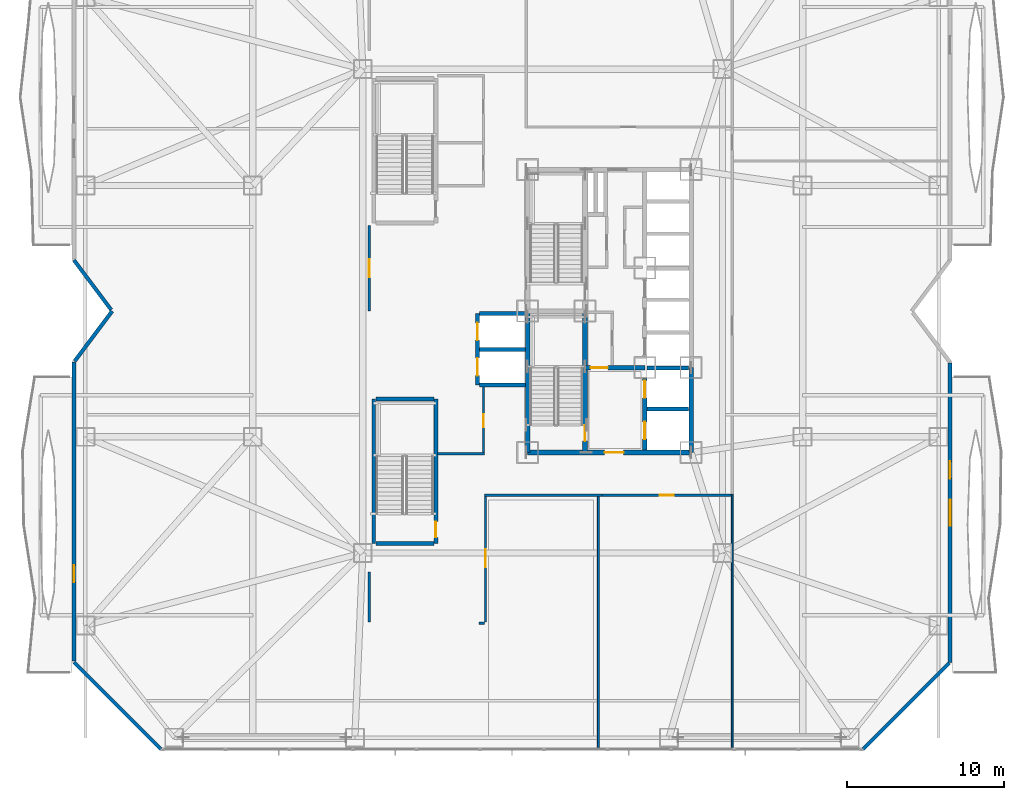
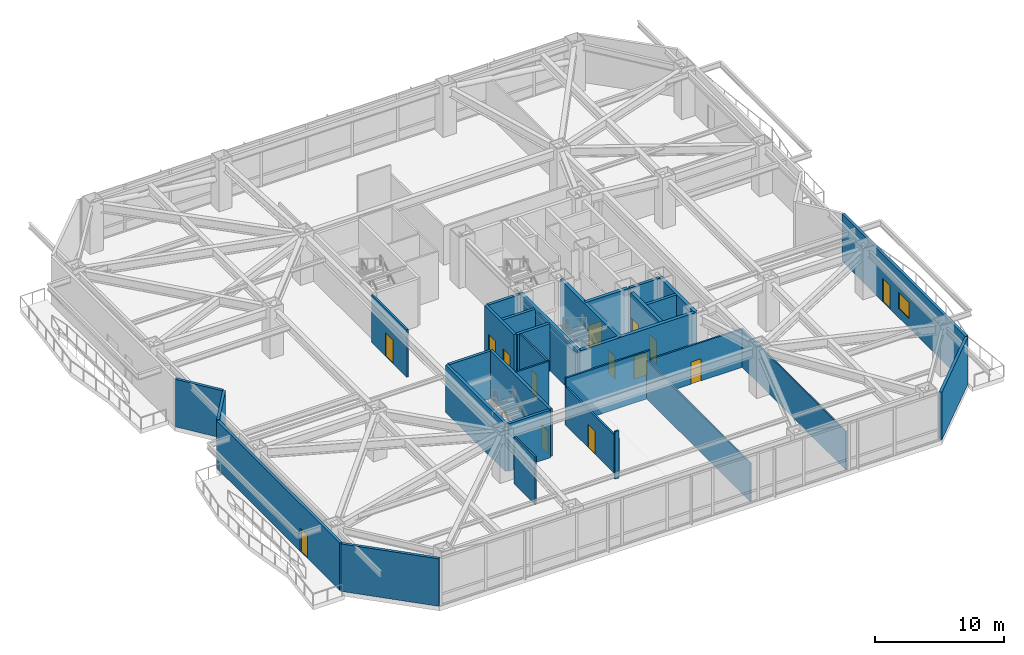
# One storey, part 23 of 33: 32 walls, 14 doors, 1 window, 15 openings.
"""IFC4 building model written with IfcOpenShell, lengths in metres."""

from ifc_helpers import new_model, si_unit, direction, frame, frame_2d, origin, place, context, subcontext, project, spatial, rectangle, extrude, material, layer, layer_set, type_object, element, fill, save


model = new_model("IFC4")

# Units and contexts
model_context = context("Model", 3, precision=1e-05, world=origin(), true_north=direction((0.0, 1.0)))
body_context = subcontext(model_context, "Body", "Model", "MODEL_VIEW")
ifc_project = project(units=[si_unit("LENGTHUNIT", "METRE"), si_unit("AREAUNIT", "SQUARE_METRE"), si_unit("VOLUMEUNIT", "CUBIC_METRE"), si_unit("PLANEANGLEUNIT", "RADIAN"), si_unit("MASSUNIT", "GRAM", prefix="KILO")], contexts=[model_context])

# Site, building, storey
site_placement = place(None, origin())
site = spatial("IfcSite", under=ifc_project, at=site_placement, CompositionType="ELEMENT")
building_placement = place(site_placement, origin())
building = spatial("IfcBuilding", under=site, at=building_placement, Name="Khamvora Tower", CompositionType="ELEMENT")
storey_placement = place(building_placement, frame((0.0, 0.0, 7.199951171875)))
storey = spatial("IfcBuildingStorey", under=building, at=storey_placement, Name="L01", CompositionType="ELEMENT", Elevation=7.199951171875)

# Wall
ifc_material_1 = material(Name="Concrete C50/60", Category="concrete")
ifc_layer_1 = layer(ifc_material_1, 0.300048828125)
ifc_layer_set_1 = layer_set([ifc_layer_1], Name="Concrete C50/60")
wall_type_1 = type_object("IfcWallType", Name="WAL-CORE-300", PredefinedType="SHEAR", material=ifc_layer_set_1)
wall_1_placement = place(storey_placement, frame((29.0, 19.0, 0.0), z_axis=(0.0, 0.0, 1.0), x_axis=(0.0, 1.0, 0.0)))
element("IfcWall", 1, at=wall_1_placement, inside=storey, type_object=wall_type_1, Name="L01 central core west south wall", PredefinedType="SHEAR", context=body_context, shape_type="SweptSolid", body=[
    extrude(rectangle(XDim=9.0, YDim=0.300048828125, at=frame_2d((4.5, 0.0))), origin(), (0.0, 0.0, 1.0), 4.47998046875),
])

# Wall, opening, door
wall_2_placement = place(storey_placement, frame((29.0, 19.0, 0.0), z_axis=(0.0, 0.0, 1.0), x_axis=(1.0, 0.0, 0.0)))
wall_2 = element("IfcWall", 2, at=wall_2_placement, inside=storey, type_object=wall_type_1, Name="L01 central core south wall", PredefinedType="SHEAR", context=body_context, shape_type="SweptSolid", body=[
    extrude(rectangle(XDim=10.39990234375, YDim=0.300048828125, at=frame_2d((5.199951171875, 0.0))), origin(), (0.0, 0.0, 1.0), 4.47998046875),
])
opening_1_placement = place(wall_2_placement, frame((4.89990234375, 0.0, 0.0)))
opening_1 = element("IfcOpeningElement", 3, at=opening_1_placement, cuts=wall_2, Name="Opening D-CR1", PredefinedType="OPENING", context=body_context, shape_type="SweptSolid", body=[
    extrude(rectangle(XDim=1.199951171875, YDim=2.14990234375, at=frame_2d((0.60009765625, 1.074951171875))), frame((0.0, 0.159912109375, 0.0), z_axis=(0.0, -1.0, 0.0), x_axis=(1.0, 0.0, 0.0)), (0.0, 0.0, 1.0), 0.320068359375),
])
ifc_material_2 = material(Name="Powder-Coated Steel and Hardwood Leaf", Category="steel")
door_type_1 = type_object("IfcDoorType", Name="DOR-CORR-1200", OperationType="NOTDEFINED", PredefinedType="DOOR", material=ifc_material_2)
door_1_placement = place(opening_1_placement, origin())
door_1 = element("IfcDoor", 4, at=door_1_placement, inside=storey, type_object=door_type_1, Name="L01 south core lobby to corridor fire door", OperationType="SINGLE_SWING_LEFT", OverallHeight=2.14990234375, OverallWidth=1.199951171875, PredefinedType="DOOR", context=body_context, shape_type="SweptSolid", body=[
    extrude(rectangle(XDim=1.199951171875, YDim=2.14990234375, at=frame_2d((0.60009765625, 1.074951171875))), frame((0.0, 0.02490234375, 0.0), z_axis=(0.0, -1.0, 0.0), x_axis=(1.0, 0.0, 0.0)), (0.0, 0.0, 1.0), 0.050048828125),
])
fill(opening_1, door_1)

# Wall
wall_3_placement = place(storey_placement, frame((39.39990234375, 19.0, 0.0), z_axis=(0.0, 0.0, 1.0), x_axis=(0.0, 1.0, 0.0)))
element("IfcWall", 5, at=wall_3_placement, inside=storey, type_object=wall_type_1, Name="L01 central core east south wall", PredefinedType="SHEAR", context=body_context, shape_type="SweptSolid", body=[
    extrude(rectangle(XDim=5.39990234375, YDim=0.300048828125, at=frame_2d((2.699951171875, 0.0))), origin(), (0.0, 0.0, 1.0), 4.47998046875),
])

# Wall, opening, door
wall_4_placement = place(storey_placement, frame((32.64990234375, 19.0, 0.0), z_axis=(0.0, 0.0, 1.0), x_axis=(0.0, 1.0, 0.0)))
wall_4 = element("IfcWall", 6, at=wall_4_placement, inside=storey, type_object=wall_type_1, Name="L01 central core stair south spine wall", PredefinedType="SHEAR", context=body_context, shape_type="SweptSolid", body=[
    extrude(rectangle(XDim=9.0, YDim=0.300048828125, at=frame_2d((4.5, 0.0))), origin(), (0.0, 0.0, 1.0), 4.47998046875),
])
opening_2_placement = place(wall_4_placement, frame((0.719970703125, 0.0, 0.0)))
opening_2 = element("IfcOpeningElement", 7, at=opening_2_placement, cuts=wall_4, Name="Opening D-ST1", PredefinedType="OPENING", context=body_context, shape_type="SweptSolid", body=[
    extrude(rectangle(XDim=1.0, YDim=2.14990234375, at=frame_2d((0.5, 1.074951171875))), frame((0.0, 0.159912109375, 0.0), z_axis=(0.0, -1.0, 0.0), x_axis=(1.0, 0.0, 0.0)), (0.0, 0.0, 1.0), 0.320068359375),
])
door_type_2 = type_object("IfcDoorType", Name="DOR-STAIR-1000", OperationType="NOTDEFINED", PredefinedType="DOOR", material=ifc_material_2)
door_2_placement = place(opening_2_placement, origin())
door_2 = element("IfcDoor", 8, at=door_2_placement, inside=storey, type_object=door_type_2, Name="L01 exit stair ST-01 fire door", OperationType="SINGLE_SWING_RIGHT", OverallHeight=2.14990234375, OverallWidth=1.0, PredefinedType="DOOR", context=body_context, shape_type="SweptSolid", body=[
    extrude(rectangle(XDim=1.0, YDim=2.14990234375, at=frame_2d((0.5, 1.074951171875))), frame((0.0, 0.02490234375, 0.0), z_axis=(0.0, -1.0, 0.0), x_axis=(1.0, 0.0, 0.0)), (0.0, 0.0, 1.0), 0.050048828125),
])
fill(opening_2, door_2)

wall_5_placement = place(storey_placement, frame((32.64990234375, 24.39990234375, 0.0), z_axis=(0.0, 0.0, 1.0), x_axis=(1.0, 0.0, 0.0)))
wall_5 = element("IfcWall", 9, at=wall_5_placement, inside=storey, type_object=wall_type_1, Name="L01 central core firefighting lobby north wall", PredefinedType="SHEAR", context=body_context, shape_type="SweptSolid", body=[
    extrude(rectangle(XDim=3.800048828125, YDim=0.300048828125, at=frame_2d((1.89990234375, 0.0))), origin(), (0.0, 0.0, 1.0), 4.47998046875),
])
opening_3_placement = place(wall_5_placement, frame((0.35009765625, 0.0, 0.0)))
opening_3 = element("IfcOpeningElement", 10, at=opening_3_placement, cuts=wall_5, Name="Opening D-FF1", PredefinedType="OPENING", context=body_context, shape_type="SweptSolid", body=[
    extrude(rectangle(XDim=1.10009765625, YDim=2.14990234375, at=frame_2d((0.550048828125, 1.074951171875))), frame((0.0, 0.159912109375, 0.0), z_axis=(0.0, -1.0, 0.0), x_axis=(1.0, 0.0, 0.0)), (0.0, 0.0, 1.0), 0.320068359375),
])
door_type_3 = type_object("IfcDoorType", Name="DOR-FFLOB-1100", OperationType="NOTDEFINED", PredefinedType="DOOR", material=ifc_material_2)
door_3_placement = place(opening_3_placement, origin())
door_3 = element("IfcDoor", 11, at=door_3_placement, inside=storey, type_object=door_type_3, Name="L01 firefighting lobby smoke-seal fire door", OperationType="SINGLE_SWING_RIGHT", OverallHeight=2.14990234375, OverallWidth=1.10009765625, PredefinedType="DOOR", context=body_context, shape_type="SweptSolid", body=[
    extrude(rectangle(XDim=1.10009765625, YDim=2.14990234375, at=frame_2d((0.550048828125, 1.074951171875))), frame((0.0, 0.02490234375, 0.0), z_axis=(0.0, -1.0, 0.0), x_axis=(1.0, 0.0, 0.0)), (0.0, 0.0, 1.0), 0.050048828125),
])
fill(opening_3, door_3)

# Wall, openings, doors
wall_6_placement = place(storey_placement, frame((36.449951171875, 19.154052734375, 0.0), z_axis=(0.0, 0.0, 1.0), x_axis=(0.0, 1.0, 0.0)))
wall_6 = element("IfcWall", 12, at=wall_6_placement, inside=storey, type_object=wall_type_1, Name="L01 central core lift bank south wall", PredefinedType="SHEAR", context=body_context, shape_type="SweptSolid", body=[
    extrude(rectangle(XDim=4.5458984375, YDim=0.300048828125, at=frame_2d((2.27294921875, 0.0))), origin(), (0.0, 0.0, 1.0), 4.47998046875),
])
opening_4_placement = place(wall_6_placement, frame((0.696044921875, 0.0, 0.0)))
opening_4 = element("IfcOpeningElement", 13, at=opening_4_placement, cuts=wall_6, Name="Opening LD-FFL", PredefinedType="OPENING", context=body_context, shape_type="SweptSolid", body=[
    extrude(rectangle(XDim=1.10009765625, YDim=2.14990234375, at=frame_2d((0.550048828125, 1.074951171875))), frame((0.0, 0.159912109375, 0.0), z_axis=(0.0, -1.0, 0.0), x_axis=(1.0, 0.0, 0.0)), (0.0, 0.0, 1.0), 0.320068359375),
])
opening_5_placement = place(wall_6_placement, frame((3.31591796875, 0.0, 0.0)))
opening_5 = element("IfcOpeningElement", 14, at=opening_5_placement, cuts=wall_6, Name="Opening LD-FFL", PredefinedType="OPENING", context=body_context, shape_type="SweptSolid", body=[
    extrude(rectangle(XDim=1.10009765625, YDim=2.14990234375, at=frame_2d((0.550048828125, 1.074951171875))), frame((0.0, 0.159912109375, 0.0), z_axis=(0.0, -1.0, 0.0), x_axis=(1.0, 0.0, 0.0)), (0.0, 0.0, 1.0), 0.320068359375),
])
door_type_4 = type_object("IfcDoorType", Name="DOR-LIFT-1100", OperationType="SLIDING_TO_LEFT", PredefinedType="DOOR", material=ifc_material_2)
door_4_placement = place(opening_4_placement, origin())
door_4 = element("IfcDoor", 15, at=door_4_placement, inside=storey, type_object=door_type_4, Name="L01 lift landing sliding door FFL-01", OperationType="SLIDING_TO_LEFT", OverallHeight=2.14990234375, OverallWidth=1.10009765625, PredefinedType="DOOR", context=body_context, shape_type="SweptSolid", body=[
    extrude(rectangle(XDim=1.10009765625, YDim=2.14990234375, at=frame_2d((0.550048828125, 1.074951171875))), frame((0.0, 0.02490234375, 0.0), z_axis=(0.0, -1.0, 0.0), x_axis=(1.0, 0.0, 0.0)), (0.0, 0.0, 1.0), 0.050048828125),
])
fill(opening_4, door_4)
door_5_placement = place(opening_5_placement, origin())
door_5 = element("IfcDoor", 16, at=door_5_placement, inside=storey, type_object=door_type_4, Name="L01 lift landing sliding door FFL-02", OperationType="SLIDING_TO_LEFT", OverallHeight=2.14990234375, OverallWidth=1.10009765625, PredefinedType="DOOR", context=body_context, shape_type="SweptSolid", body=[
    extrude(rectangle(XDim=1.10009765625, YDim=2.14990234375, at=frame_2d((0.550048828125, 1.074951171875))), frame((0.0, 0.02490234375, 0.0), z_axis=(0.0, -1.0, 0.0), x_axis=(1.0, 0.0, 0.0)), (0.0, 0.0, 1.0), 0.050048828125),
])
fill(opening_5, door_5)

# Wall
ifc_material_3 = material(Name="Fire-Rated Drywall and Steel Stud", Category="steel")
ifc_layer_2 = layer(ifc_material_3, 0.14990234375)
ifc_layer_set_2 = layer_set([ifc_layer_2], Name="Fire-Rated Drywall and Steel Stud")
wall_type_2 = type_object("IfcWallType", Name="WAL-CORR-150", PredefinedType="STANDARD", material=ifc_layer_set_2)
wall_7_placement = place(storey_placement, frame((23.26708984375, 18.9150390625, 0.0), z_axis=(0.0, 0.0, 1.0), x_axis=(1.0, 0.0, 0.0)))
element("IfcWall", 17, at=wall_7_placement, inside=storey, type_object=wall_type_2, Name="L01 interior partition wall 008", PredefinedType="STANDARD", context=body_context, shape_type="SweptSolid", body=[
    extrude(rectangle(XDim=2.98291015625, YDim=0.14990234375, at=frame_2d((1.491455078125, 0.0))), origin(), (0.0, 0.0, 1.0), 4.47998046875),
])

# Wall, opening, door
wall_8_placement = place(storey_placement, frame((26.18505859375, 18.85205078125, 0.0), z_axis=(0.0, 0.0, 1.0), x_axis=(0.0, 1.0, 0.0)))
wall_8 = element("IfcWall", 18, at=wall_8_placement, inside=storey, type_object=wall_type_2, Name="L01 interior partition wall 009", PredefinedType="STANDARD", context=body_context, shape_type="SweptSolid", body=[
    extrude(rectangle(XDim=4.3310546875, YDim=0.14990234375, at=frame_2d((2.16552734375, 0.0))), origin(), (0.0, 0.0, 1.0), 4.47998046875),
])
opening_6_placement = place(wall_8_placement, frame((1.740966796875, 0.0, 0.0)))
opening_6 = element("IfcOpeningElement", 19, at=opening_6_placement, cuts=wall_8, Name="Opening D-WC1", PredefinedType="OPENING", context=body_context, shape_type="SweptSolid", body=[
    extrude(rectangle(XDim=0.85009765625, YDim=2.10009765625, at=frame_2d((0.425048828125, 1.050048828125))), frame((0.0, 0.0849609375, 0.0), z_axis=(0.0, -1.0, 0.0), x_axis=(1.0, 0.0, 0.0)), (0.0, 0.0, 1.0), 0.169921875),
])
door_type_5 = type_object("IfcDoorType", Name="DOR-WET-850", OperationType="NOTDEFINED", PredefinedType="DOOR", material=ifc_material_2)
door_6_placement = place(opening_6_placement, origin())
door_6 = element("IfcDoor", 20, at=door_6_placement, inside=storey, type_object=door_type_5, Name="L01 interior door SCOR-WCM", OperationType="SINGLE_SWING_RIGHT", OverallHeight=2.10009765625, OverallWidth=0.85009765625, PredefinedType="DOOR", context=body_context, shape_type="SweptSolid", body=[
    extrude(rectangle(XDim=0.85009765625, YDim=2.10009765625, at=frame_2d((0.425048828125, 1.050048828125))), frame((0.0, 0.02490234375, 0.0), z_axis=(0.0, -1.0, 0.0), x_axis=(1.0, 0.0, 0.0)), (0.0, 0.0, 1.0), 0.050048828125),
])
fill(opening_6, door_6)

wall_9_placement = place(storey_placement, frame((18.9150390625, 28.0, 0.0), z_axis=(0.0, 0.0, 1.0), x_axis=(0.0, 1.0, 0.0)))
wall_9 = element("IfcWall", 21, at=wall_9_placement, inside=storey, type_object=wall_type_2, Name="L01 interior partition wall 014", PredefinedType="STANDARD", context=body_context, shape_type="SweptSolid", body=[
    extrude(rectangle(XDim=5.449951171875, YDim=0.14990234375, at=frame_2d((2.72509765625, 0.0))), origin(), (0.0, 0.0, 1.0), 4.47998046875),
])
opening_7_placement = place(wall_9_placement, frame((2.14990234375, 0.0, 0.0)))
opening_7 = element("IfcOpeningElement", 22, at=opening_7_placement, cuts=wall_9, Name="Opening D-SC1", PredefinedType="OPENING", context=body_context, shape_type="SweptSolid", body=[
    extrude(rectangle(XDim=1.14990234375, YDim=2.199951171875, at=frame_2d((0.574951171875, 1.10009765625))), frame((0.0, 0.0849609375, 0.0), z_axis=(0.0, -1.0, 0.0), x_axis=(1.0, 0.0, 0.0)), (0.0, 0.0, 1.0), 0.169921875),
])
door_type_6 = type_object("IfcDoorType", Name="DOR-SCHL-1150", OperationType="NOTDEFINED", PredefinedType="DOOR", material=ifc_material_2)
door_7_placement = place(opening_7_placement, origin())
door_7 = element("IfcDoor", 23, at=door_7_placement, inside=storey, type_object=door_type_6, Name="L01 interior door SCOR-AUD", OperationType="SINGLE_SWING_LEFT", OverallHeight=2.199951171875, OverallWidth=1.14990234375, PredefinedType="DOOR", context=body_context, shape_type="SweptSolid", body=[
    extrude(rectangle(XDim=1.14990234375, YDim=2.199951171875, at=frame_2d((0.574951171875, 1.10009765625))), frame((0.0, 0.02490234375, 0.0), z_axis=(0.0, -1.0, 0.0), x_axis=(1.0, 0.0, 0.0)), (0.0, 0.0, 1.0), 0.050048828125),
])
fill(opening_7, door_7)

# Walls
wall_10_placement = place(storey_placement, frame((18.9150390625, 8.199951171875, 0.0), z_axis=(0.0, 0.0, 1.0), x_axis=(0.0, 1.0, 0.0)))
element("IfcWall", 24, at=wall_10_placement, inside=storey, type_object=wall_type_2, Name="L01 interior partition wall 016", PredefinedType="STANDARD", context=body_context, shape_type="SweptSolid", body=[
    extrude(rectangle(XDim=3.199951171875, YDim=0.14990234375, at=frame_2d((1.60009765625, 0.0))), origin(), (0.0, 0.0, 1.0), 4.47998046875),
])
wall_11_placement = place(storey_placement, frame((33.743896484375, 16.284912109375, 0.0), z_axis=(0.0, 0.0, 1.0), x_axis=(-1.0, 0.0, 0.0)))
element("IfcWall", 25, at=wall_11_placement, inside=storey, type_object=wall_type_2, Name="L01 interior partition wall 019", PredefinedType="STANDARD", context=body_context, shape_type="SweptSolid", body=[
    extrude(rectangle(XDim=7.493896484375, YDim=0.14990234375, at=frame_2d((3.7470703125, 0.0))), origin(), (0.0, 0.0, 1.0), 4.47998046875),
])

# Wall, opening, door
wall_12_placement = place(storey_placement, frame((26.31494140625, 16.35009765625, 0.0), z_axis=(0.0, 0.0, 1.0), x_axis=(0.0, -1.0, 0.0)))
wall_12 = element("IfcWall", 26, at=wall_12_placement, inside=storey, type_object=wall_type_2, Name="L01 interior partition wall 020", PredefinedType="STANDARD", context=body_context, shape_type="SweptSolid", body=[
    extrude(rectangle(XDim=8.150146484375, YDim=0.14990234375, at=frame_2d((4.0751953125, 0.0))), origin(), (0.0, 0.0, 1.0), 3.614990234375),
])
opening_8_placement = place(wall_12_placement, frame((3.5, 0.0, 0.0)))
opening_8 = element("IfcOpeningElement", 27, at=opening_8_placement, cuts=wall_12, Name="Opening D-SC1", PredefinedType="OPENING", context=body_context, shape_type="SweptSolid", body=[
    extrude(rectangle(XDim=1.14990234375, YDim=2.199951171875, at=frame_2d((0.574951171875, 1.10009765625))), frame((0.0, 0.0849609375, 0.0), z_axis=(0.0, -1.0, 0.0), x_axis=(1.0, 0.0, 0.0)), (0.0, 0.0, 1.0), 0.169921875),
])
door_8_placement = place(opening_8_placement, origin())
door_8 = element("IfcDoor", 28, at=door_8_placement, inside=storey, type_object=door_type_6, Name="L01 interior door SCOR-KDG", OperationType="SINGLE_SWING_RIGHT", OverallHeight=2.199951171875, OverallWidth=1.14990234375, PredefinedType="DOOR", context=body_context, shape_type="SweptSolid", body=[
    extrude(rectangle(XDim=1.14990234375, YDim=2.199951171875, at=frame_2d((0.574951171875, 1.10009765625))), frame((0.0, 0.02490234375, 0.0), z_axis=(0.0, -1.0, 0.0), x_axis=(1.0, 0.0, 0.0)), (0.0, 0.0, 1.0), 0.050048828125),
])
fill(opening_8, door_8)

# Wall
wall_13_placement = place(storey_placement, frame((26.25, 8.135009765625, 0.0), z_axis=(0.0, 0.0, 1.0), x_axis=(-1.0, 0.0, 0.0)))
element("IfcWall", 29, at=wall_13_placement, inside=storey, type_object=wall_type_2, Name="L01 interior partition wall 021", PredefinedType="STANDARD", context=body_context, shape_type="SweptSolid", body=[
    extrude(rectangle(XDim=0.339111328125, YDim=0.14990234375, at=frame_2d((0.16943359375, 0.0))), origin(), (0.0, 0.0, 1.0), 4.47998046875),
])

# Wall, opening, door
wall_14_placement = place(storey_placement, frame((41.949951171875, 16.284912109375, 0.0), z_axis=(0.0, 0.0, 1.0), x_axis=(-1.0, 0.0, 0.0)))
wall_14 = element("IfcWall", 30, at=wall_14_placement, inside=storey, type_object=wall_type_2, Name="L01 interior partition wall 022", PredefinedType="STANDARD", context=body_context, shape_type="SweptSolid", body=[
    extrude(rectangle(XDim=8.2060546875, YDim=0.14990234375, at=frame_2d((4.10302734375, 0.0))), origin(), (0.0, 0.0, 1.0), 3.614990234375),
])
opening_9_placement = place(wall_14_placement, frame((3.653076171875, 0.0, 0.0)))
opening_9 = element("IfcOpeningElement", 31, at=opening_9_placement, cuts=wall_14, Name="Opening D-RM1", PredefinedType="OPENING", context=body_context, shape_type="SweptSolid", body=[
    extrude(rectangle(XDim=0.89990234375, YDim=2.10009765625, at=frame_2d((0.449951171875, 1.050048828125))), frame((0.0, 0.0849609375, 0.0), z_axis=(0.0, -1.0, 0.0), x_axis=(1.0, 0.0, 0.0)), (0.0, 0.0, 1.0), 0.169921875),
])
door_type_7 = type_object("IfcDoorType", Name="DOR-ROOM-900", OperationType="NOTDEFINED", PredefinedType="DOOR", material=ifc_material_2)
door_9_placement = place(opening_9_placement, origin())
door_9 = element("IfcDoor", 32, at=door_9_placement, inside=storey, type_object=door_type_7, Name="L01 interior door SCOR-ADM", OperationType="SINGLE_SWING_LEFT", OverallHeight=2.10009765625, OverallWidth=0.89990234375, PredefinedType="DOOR", context=body_context, shape_type="SweptSolid", body=[
    extrude(rectangle(XDim=0.89990234375, YDim=2.10009765625, at=frame_2d((0.449951171875, 1.050048828125))), frame((0.0, 0.02490234375, 0.0), z_axis=(0.0, -1.0, 0.0), x_axis=(1.0, 0.0, 0.0)), (0.0, 0.0, 1.0), 0.050048828125),
])
fill(opening_9, door_9)

# Wall
ifc_material_4 = material(Name="Precast concrete C40/50", Category="concrete")
ifc_layer_3 = layer(ifc_material_4, 0.239990234375)
ifc_layer_set_3 = layer_set([ifc_layer_3], Name="Precast concrete C40/50")
wall_type_3 = type_object("IfcWallType", Name="WAL-EXT-240", PredefinedType="STANDARD", material=ifc_layer_set_3)
wall_15_placement = place(storey_placement, frame((5.64990234375, 0.1201171875, 0.0), z_axis=(0.0, 0.0, 1.0), x_axis=(-0.707106781187, 0.707106781187, 0.0)))
element("IfcWall", 33, at=wall_15_placement, inside=storey, type_object=wall_type_3, Name="L01 exterior facade wall 01.1", PredefinedType="STANDARD", context=body_context, shape_type="SweptSolid", body=[
    extrude(rectangle(XDim=7.8203125, YDim=0.239990234375, at=frame_2d((3.91015625, 0.0))), origin(), (0.0, 0.0, 1.0), 4.47998046875),
])

# Wall, opening, door
wall_16_placement = place(storey_placement, frame((0.1201171875, 5.72802734375, 0.0), z_axis=(0.0, 0.0, 1.0), x_axis=(0.0, 1.0, 0.0)))
wall_16 = element("IfcWall", 34, at=wall_16_placement, inside=storey, type_object=wall_type_3, Name="L01 exterior facade wall 02.1", PredefinedType="STANDARD", context=body_context, shape_type="SweptSolid", body=[
    extrude(rectangle(XDim=19.031982421875, YDim=0.239990234375, at=frame_2d((9.51611328125, 0.0))), origin(), (0.0, 0.0, 1.0), 4.47998046875),
])
opening_10_placement = place(wall_16_placement, frame((5.0048828125, 0.0, 0.0)))
opening_10 = element("IfcOpeningElement", 35, at=opening_10_placement, cuts=wall_16, Name="Opening BD-01", PredefinedType="OPENING", context=body_context, shape_type="SweptSolid", body=[
    extrude(rectangle(XDim=1.10009765625, YDim=2.199951171875, at=frame_2d((0.550048828125, 1.10009765625))), frame((0.0, 0.1298828125, 0.0), z_axis=(0.0, -1.0, 0.0), x_axis=(1.0, 0.0, 0.0)), (0.0, 0.0, 1.0), 0.260009765625),
])
ifc_material_5 = material(Name="Anodised Aluminium and Laminated Safety Glass", Category="aluminium")
door_type_8 = type_object("IfcDoorType", Name="DOR-BAL-1100", OperationType="NOTDEFINED", PredefinedType="DOOR", material=ifc_material_5)
door_10_placement = place(opening_10_placement, origin())
door_10 = element("IfcDoor", 36, at=door_10_placement, inside=storey, type_object=door_type_8, Name="L01 lens gallery balcony door WL1", OperationType="SLIDING_TO_LEFT", OverallHeight=2.199951171875, OverallWidth=1.10009765625, PredefinedType="DOOR", context=body_context, shape_type="SweptSolid", body=[
    extrude(rectangle(XDim=1.10009765625, YDim=2.199951171875, at=frame_2d((0.550048828125, 1.10009765625))), frame((0.0, 0.02490234375, 0.0), z_axis=(0.0, -1.0, 0.0), x_axis=(1.0, 0.0, 0.0)), (0.0, 0.0, 1.0), 0.050048828125),
])
fill(opening_10, door_10)

# Walls
wall_17_placement = place(storey_placement, frame((0.157958984375, 24.81103515625, 0.0), z_axis=(0.0, 0.0, 1.0), x_axis=(0.600058791648, 0.799955902889, 0.0)))
element("IfcWall", 37, at=wall_17_placement, inside=storey, type_object=wall_type_3, Name="L01 exterior facade wall 03.1", PredefinedType="STANDARD", context=body_context, shape_type="SweptSolid", body=[
    extrude(rectangle(XDim=3.986328125, YDim=0.239990234375, at=frame_2d((1.9931640625, 0.0))), origin(), (0.0, 0.0, 1.0), 4.47998046875),
])
wall_18_placement = place(storey_placement, frame((2.487060546875, 28.083984375, 0.0), z_axis=(0.0, 0.0, 1.0), x_axis=(-0.599990098106, 0.800007426325, 0.0)))
element("IfcWall", 38, at=wall_18_placement, inside=storey, type_object=wall_type_3, Name="L01 exterior facade wall 04.1", PredefinedType="STANDARD", context=body_context, shape_type="SweptSolid", body=[
    extrude(rectangle(XDim=3.945068359375, YDim=0.239990234375, at=frame_2d((1.97265625, 0.0))), origin(), (0.0, 0.0, 1.0), 4.47998046875),
])

# Wall, openings, door, window
wall_19_placement = place(storey_placement, frame((55.8798828125, 24.697998046875, 0.0), z_axis=(0.0, 0.0, 1.0), x_axis=(0.0, -1.0, 0.0)))
wall_19 = element("IfcWall", 39, at=wall_19_placement, inside=storey, type_object=wall_type_3, Name="L01 exterior facade wall 12.1", PredefinedType="STANDARD", context=body_context, shape_type="SweptSolid", body=[
    extrude(rectangle(XDim=19.048095703125, YDim=0.239990234375, at=frame_2d((9.52392578125, 0.0))), origin(), (0.0, 0.0, 1.0), 4.47998046875),
])
opening_11_placement = place(wall_19_placement, frame((6.264892578125, 0.0, 0.0)))
opening_11 = element("IfcOpeningElement", 40, at=opening_11_placement, cuts=wall_19, Name="Opening BD-01", PredefinedType="OPENING", context=body_context, shape_type="SweptSolid", body=[
    extrude(rectangle(XDim=1.10009765625, YDim=2.199951171875, at=frame_2d((0.550048828125, 1.10009765625))), frame((0.0, 0.1298828125, 0.0), z_axis=(0.0, -1.0, 0.0), x_axis=(1.0, 0.0, 0.0)), (0.0, 0.0, 1.0), 0.260009765625),
])
opening_12_placement = place(wall_19_placement, frame((8.698974609375, 0.0, 0.85009765625)))
opening_12 = element("IfcOpeningElement", 41, at=opening_12_placement, cuts=wall_19, Name="Opening WN-06", PredefinedType="OPENING", context=body_context, shape_type="SweptSolid", body=[
    extrude(rectangle(XDim=1.64990234375, YDim=1.550048828125, at=frame_2d((0.824951171875, 0.77490234375))), frame((0.0, 0.1298828125, 0.0), z_axis=(0.0, -1.0, 0.0), x_axis=(1.0, 0.0, 0.0)), (0.0, 0.0, 1.0), 0.260009765625),
])
door_11_placement = place(opening_11_placement, origin())
door_11 = element("IfcDoor", 42, at=door_11_placement, inside=storey, type_object=door_type_8, Name="L01 lens gallery balcony door EL1", OperationType="SLIDING_TO_LEFT", OverallHeight=2.199951171875, OverallWidth=1.10009765625, PredefinedType="DOOR", context=body_context, shape_type="SweptSolid", body=[
    extrude(rectangle(XDim=1.10009765625, YDim=2.199951171875, at=frame_2d((0.550048828125, 1.10009765625))), frame((0.0, 0.02490234375, 0.0), z_axis=(0.0, -1.0, 0.0), x_axis=(1.0, 0.0, 0.0)), (0.0, 0.0, 1.0), 0.050048828125),
])
fill(opening_11, door_11)
ifc_material_6 = material(Name="Low-E Laminated Double Glazing", Category="glass")
window_type = type_object("IfcWindowType", Name="WIN-VIS-1650x1550", PartitioningType="SINGLE_PANEL", PredefinedType="WINDOW", material=ifc_material_6)
window_placement = place(opening_12_placement, origin())
window = element("IfcWindow", 43, at=window_placement, inside=storey, type_object=window_type, Name="L01 vision window 12.1.01", OverallHeight=1.550048828125, OverallWidth=1.64990234375, PartitioningType="SINGLE_PANEL", PredefinedType="WINDOW", context=body_context, shape_type="SweptSolid", body=[
    extrude(rectangle(XDim=1.64990234375, YDim=1.550048828125, at=frame_2d((0.824951171875, 0.77490234375))), frame((0.0, 0.030029296875, 0.0), z_axis=(0.0, -1.0, 0.0), x_axis=(1.0, 0.0, 0.0)), (0.0, 0.0, 1.0), 0.06005859375),
])
fill(opening_12, window)

# Walls
wall_20_placement = place(storey_placement, frame((55.825927734375, 5.595947265625, 0.0), z_axis=(0.0, 0.0, 1.0), x_axis=(-0.707106781187, -0.707106781187, 0.0)))
element("IfcWall", 44, at=wall_20_placement, inside=storey, type_object=wall_type_3, Name="L01 exterior facade wall 13.1", PredefinedType="STANDARD", context=body_context, shape_type="SweptSolid", body=[
    extrude(rectangle(XDim=7.743896484375, YDim=0.239990234375, at=frame_2d((3.8720703125, 0.0))), origin(), (0.0, 0.0, 1.0), 4.47998046875),
])
ifc_material_7 = material(Name="Gypsum Plasterboard Partition", Category="gypsum")
ifc_layer_4 = layer(ifc_material_7, 0.1201171875)
ifc_layer_set_4 = layer_set([ifc_layer_4], Name="Gypsum Plasterboard Partition")
wall_type_4 = type_object("IfcWallType", Name="WAL-PART-120", PredefinedType="PARTITIONING", material=ifc_layer_set_4)
wall_21_placement = place(storey_placement, frame((42.014892578125, 0.221923828125, 0.0), z_axis=(0.0, 0.0, 1.0), x_axis=(0.0, 1.0, 0.0)))
element("IfcWall", 45, at=wall_21_placement, inside=storey, type_object=wall_type_4, Name="L01 interior partition wall 028", PredefinedType="PARTITIONING", context=body_context, shape_type="SweptSolid", body=[
    extrude(rectangle(XDim=16.128173828125, YDim=0.1201171875, at=frame_2d((8.06396484375, 0.0))), origin(), (0.0, 0.0, 1.0), 3.614990234375),
])
wall_22_placement = place(storey_placement, frame((33.4951171875, 16.219970703125, 0.0), z_axis=(0.0, 0.0, 1.0), x_axis=(0.0, -1.0, 0.0)))
element("IfcWall", 46, at=wall_22_placement, inside=storey, type_object=wall_type_4, Name="L01 interior partition wall 030", PredefinedType="PARTITIONING", context=body_context, shape_type="SweptSolid", body=[
    extrude(rectangle(XDim=15.998046875, YDim=0.1201171875, at=frame_2d((7.9990234375, 0.0))), origin(), (0.0, 0.0, 1.0), 3.614990234375),
])
ifc_material_8 = material(Name="Concrete C40/50", Category="concrete")
ifc_layer_5 = layer(ifc_material_8, 0.25)
ifc_layer_set_5 = layer_set([ifc_layer_5], Name="Concrete C40/50")
wall_type_5 = type_object("IfcWallType", Name="WAL-PODS-250", PredefinedType="SHEAR", material=ifc_layer_set_5)
for number, where, z_axis, x_axis, name in (
    (47, (36.60400390625, 21.77490234375, 0.0), (0.0, 0.0, 1.0), (1.0, 0.0, 0.0), "L01 lift shaft divider wall FFL-01"),
    (48, (36.60400390625, 24.375, 0.0), (0.0, 0.0, 1.0), (1.0, 0.0, 0.0), "L01 lift shaft divider wall FFL-02"),
):
    element("IfcWall", number, at=place(storey_placement, frame(where, z_axis=z_axis, x_axis=x_axis)), inside=storey, type_object=wall_type_5, Name=name, PredefinedType="SHEAR", context=body_context, shape_type="SweptSolid", body=[
        extrude(rectangle(XDim=2.64208984375, YDim=0.25, at=frame_2d((1.321044921875, 0.0))), origin(), (0.0, 0.0, 1.0), 4.47998046875),
    ])
wall_23_placement = place(storey_placement, frame((19.199951171875, 13.199951171875, 0.0), z_axis=(0.0, 0.0, 1.0), x_axis=(0.0, 1.0, 0.0)))
element("IfcWall", 49, at=wall_23_placement, inside=storey, type_object=wall_type_5, Name="L01 podium stair core wall st3 w", PredefinedType="SHEAR", context=body_context, shape_type="SweptSolid", body=[
    extrude(rectangle(XDim=9.199951171875, YDim=0.25, at=frame_2d((4.60009765625, 0.0))), origin(), (0.0, 0.0, 1.0), 4.47998046875),
])

# Wall, opening, door
wall_24_placement = place(storey_placement, frame((23.14990234375, 13.199951171875, 0.0), z_axis=(0.0, 0.0, 1.0), x_axis=(0.0, 1.0, 0.0)))
wall_24 = element("IfcWall", 50, at=wall_24_placement, inside=storey, type_object=wall_type_5, Name="L01 podium stair core wall st3 e", PredefinedType="SHEAR", context=body_context, shape_type="SweptSolid", body=[
    extrude(rectangle(XDim=9.199951171875, YDim=0.25, at=frame_2d((4.60009765625, 0.0))), origin(), (0.0, 0.0, 1.0), 4.47998046875),
])
opening_13_placement = place(wall_24_placement, frame((0.39990234375, 0.0, 0.0)))
opening_13 = element("IfcOpeningElement", 51, at=opening_13_placement, cuts=wall_24, Name="Opening D-ST1", PredefinedType="OPENING", context=body_context, shape_type="SweptSolid", body=[
    extrude(rectangle(XDim=1.0, YDim=2.14990234375, at=frame_2d((0.5, 1.074951171875))), frame((0.0, 0.135009765625, 0.0), z_axis=(0.0, -1.0, 0.0), x_axis=(1.0, 0.0, 0.0)), (0.0, 0.0, 1.0), 0.27001953125),
])
door_12_placement = place(opening_13_placement, origin())
door_12 = element("IfcDoor", 52, at=door_12_placement, inside=storey, type_object=door_type_2, Name="L01 podium stair ST3 enclosure door", OperationType="SINGLE_SWING_LEFT", OverallHeight=2.14990234375, OverallWidth=1.0, PredefinedType="DOOR", context=body_context, shape_type="SweptSolid", body=[
    extrude(rectangle(XDim=1.0, YDim=2.14990234375, at=frame_2d((0.5, 1.074951171875))), frame((0.0, 0.02490234375, 0.0), z_axis=(0.0, -1.0, 0.0), x_axis=(1.0, 0.0, 0.0)), (0.0, 0.0, 1.0), 0.050048828125),
])
fill(opening_13, door_12)

# Walls
for number, where, z_axis, x_axis, name in (
    (53, (19.3291015625, 13.199951171875, 0.0), (0.0, 0.0, 1.0), (1.0, 0.0, 0.0), "L01 podium stair core wall st3 s"),
    (54, (19.3291015625, 22.39990234375, 0.0), (0.0, 0.0, 1.0), (1.0, 0.0, 0.0), "L01 podium stair core wall st3 n"),
):
    element("IfcWall", number, at=place(storey_placement, frame(where, z_axis=z_axis, x_axis=x_axis)), inside=storey, type_object=wall_type_5, Name=name, PredefinedType="SHEAR", context=body_context, shape_type="SweptSolid", body=[
        extrude(rectangle(XDim=3.69189453125, YDim=0.25, at=frame_2d((1.845947265625, 0.0))), origin(), (0.0, 0.0, 1.0), 4.47998046875),
    ])

# Wall, openings, doors
wall_25_placement = place(storey_placement, frame((25.800048828125, 23.300048828125, 0.0), z_axis=(0.0, 0.0, 1.0), x_axis=(0.0, 1.0, 0.0)))
wall_25 = element("IfcWall", 55, at=wall_25_placement, inside=storey, type_object=wall_type_5, Name="L01 podium lift shaft wall slw w", PredefinedType="SHEAR", context=body_context, shape_type="SweptSolid", body=[
    extrude(rectangle(XDim=4.550048828125, YDim=0.25, at=frame_2d((2.27490234375, 0.0))), origin(), (0.0, 0.0, 1.0), 4.47998046875),
])
opening_14_placement = place(wall_25_placement, frame((0.60009765625, 0.0, 0.0)))
opening_14 = element("IfcOpeningElement", 56, at=opening_14_placement, cuts=wall_25, Name="Opening LD-SL", PredefinedType="OPENING", context=body_context, shape_type="SweptSolid", body=[
    extrude(rectangle(XDim=1.10009765625, YDim=2.14990234375, at=frame_2d((0.550048828125, 1.074951171875))), frame((0.0, 0.135009765625, 0.0), z_axis=(0.0, -1.0, 0.0), x_axis=(1.0, 0.0, 0.0)), (0.0, 0.0, 1.0), 0.27001953125),
])
opening_15_placement = place(wall_25_placement, frame((2.85009765625, 0.0, 0.0)))
opening_15 = element("IfcOpeningElement", 57, at=opening_15_placement, cuts=wall_25, Name="Opening LD-SL", PredefinedType="OPENING", context=body_context, shape_type="SweptSolid", body=[
    extrude(rectangle(XDim=1.10009765625, YDim=2.14990234375, at=frame_2d((0.550048828125, 1.074951171875))), frame((0.0, 0.135009765625, 0.0), z_axis=(0.0, -1.0, 0.0), x_axis=(1.0, 0.0, 0.0)), (0.0, 0.0, 1.0), 0.27001953125),
])
door_type_9 = type_object("IfcDoorType", Name="DOR-LIFT-1100S", OperationType="SLIDING_TO_LEFT", PredefinedType="DOOR", material=ifc_material_2)
door_13_placement = place(opening_14_placement, origin())
door_13 = element("IfcDoor", 58, at=door_13_placement, inside=storey, type_object=door_type_9, Name="L01 school lift landing sliding door SL-01", OperationType="SLIDING_TO_LEFT", OverallHeight=2.14990234375, OverallWidth=1.10009765625, PredefinedType="DOOR", context=body_context, shape_type="SweptSolid", body=[
    extrude(rectangle(XDim=1.10009765625, YDim=2.14990234375, at=frame_2d((0.550048828125, 1.074951171875))), frame((0.0, 0.02490234375, 0.0), z_axis=(0.0, -1.0, 0.0), x_axis=(1.0, 0.0, 0.0)), (0.0, 0.0, 1.0), 0.050048828125),
])
fill(opening_14, door_13)
door_14_placement = place(opening_15_placement, origin())
door_14 = element("IfcDoor", 59, at=door_14_placement, inside=storey, type_object=door_type_9, Name="L01 school lift landing sliding door SL-02", OperationType="SLIDING_TO_LEFT", OverallHeight=2.14990234375, OverallWidth=1.10009765625, PredefinedType="DOOR", context=body_context, shape_type="SweptSolid", body=[
    extrude(rectangle(XDim=1.10009765625, YDim=2.14990234375, at=frame_2d((0.550048828125, 1.074951171875))), frame((0.0, 0.02490234375, 0.0), z_axis=(0.0, -1.0, 0.0), x_axis=(1.0, 0.0, 0.0)), (0.0, 0.0, 1.0), 0.050048828125),
])
fill(opening_15, door_14)

# Walls
for number, where, z_axis, x_axis, name in (
    (60, (25.928955078125, 23.300048828125, 0.0), (0.0, 0.0, 1.0), (1.0, 0.0, 0.0), "L01 podium lift shaft wall slw s"),
    (61, (25.928955078125, 27.85009765625, 0.0), (0.0, 0.0, 1.0), (1.0, 0.0, 0.0), "L01 podium lift shaft wall slw n"),
    (62, (25.928955078125, 25.570068359375, 0.0), (0.0, 0.0, 1.0), (1.0, 0.0, 0.0), "L01 podium lift shaft wall slw m"),
):
    element("IfcWall", number, at=place(storey_placement, frame(where, z_axis=z_axis, x_axis=x_axis)), inside=storey, type_object=wall_type_5, Name=name, PredefinedType="SHEAR", context=body_context, shape_type="SweptSolid", body=[
        extrude(rectangle(XDim=2.9169921875, YDim=0.25, at=frame_2d((1.45849609375, 0.0))), origin(), (0.0, 0.0, 1.0), 4.47998046875),
    ])

save(model, "model.ifc")
